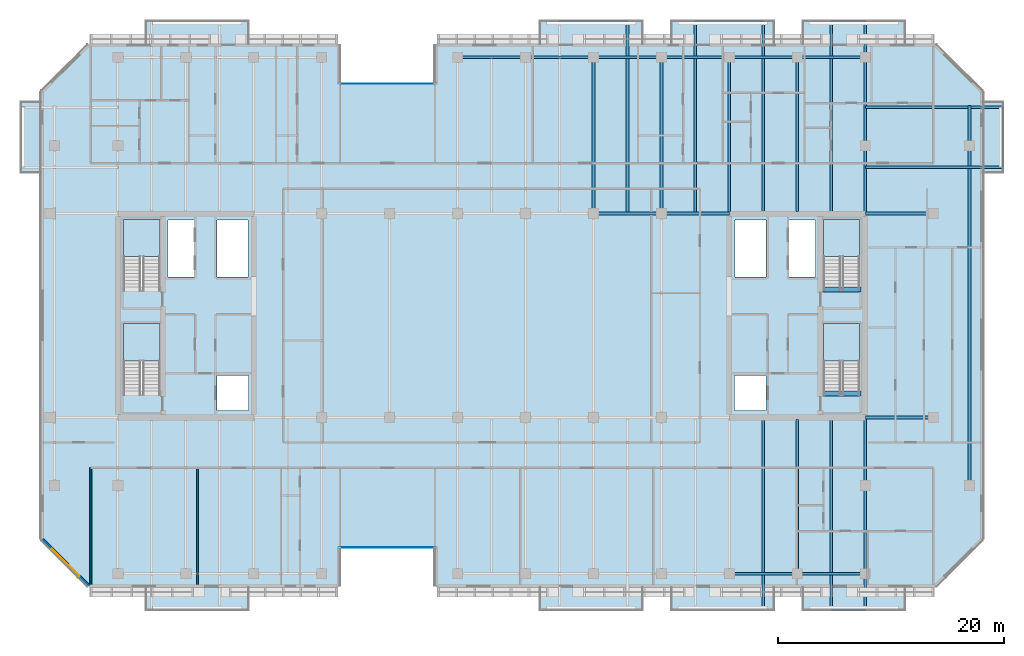
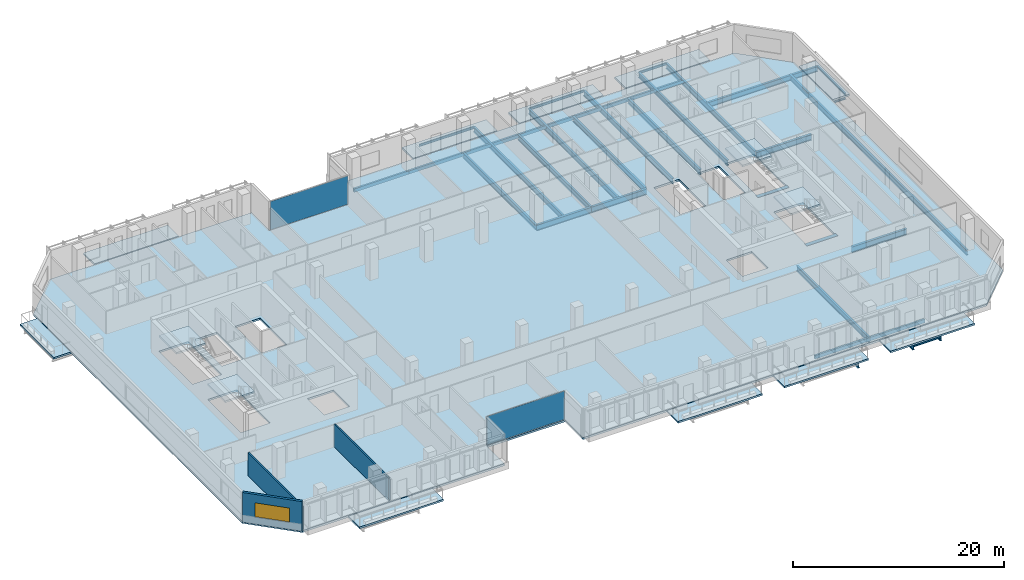
# One storey, part 9 of 22: 36 beams, 15 slabs, 3 walls, 2 plates, 1 window, 1 opening, 6 elements without a shape of their own.
"""IFC4 building model written with IfcOpenShell, lengths in metres."""

import ifcopenshell
import ifcopenshell.guid

model = None  # the IFC model being written
_history = None  # IfcOwnerHistory: only IFC2X3 demands one
_inside = {}  # id of a spatial element -> (the spatial element, [elements in it])
_under = {}  # id of a project, library or spatial element -> (it, [spatial elements below it])
_declared = {}  # id of a project -> (the project, [libraries it declares])
_typed = {}  # id of a type object -> (the type object, [elements of that type])
_made_of = {}  # id of a material, layer set ... -> (it, [elements and type objects made of it])


def new_model(schema):
    """Start an empty IFC model of exactly this schema.

    Asked for "IFC4X3", IfcOpenShell would pick the latest addendum, in which some entities
    have other attributes; the version numbers below select the first issue.
    IFC2X3 requires an IfcOwnerHistory on every rooted entity: one is made here for all.
    """
    global model, _history
    if schema == "IFC4X3":
        model = ifcopenshell.file(schema_version=(4, 3, 0, 0))
    else:
        model = ifcopenshell.file(schema=schema)
    _inside.clear()
    _under.clear()
    _declared.clear()
    _typed.clear()
    _made_of.clear()
    _history = None
    if model.schema == "IFC2X3":
        org = make("IfcOrganization", Name="unknown")
        user = make(
            "IfcPersonAndOrganization",
            ThePerson=make("IfcPerson", FamilyName="unknown"),
            TheOrganization=org,
        )
        app = make(
            "IfcApplication",
            ApplicationDeveloper=org,
            Version="unknown",
            ApplicationFullName="unknown",
            ApplicationIdentifier="unknown",
        )
        _history = make(
            "IfcOwnerHistory",
            OwningUser=user,
            OwningApplication=app,
            ChangeAction="ADDED",
            CreationDate=0,
        )
    return model


def make(cls, **values):
    """One entity of the class cls with the attributes given. An attribute that is None is left unset."""
    return model.create_entity(
        cls, **{name: value for name, value in values.items() if value is not None}
    )


def rooted(cls, **values):
    """An entity with a GlobalId (a new one), such as an element, a storey or a relation."""
    return make(cls, GlobalId=ifcopenshell.guid.new(), OwnerHistory=_history, **values)


def si_unit(unit_type, name, prefix=None):
    """IfcSIUnit, for example si_unit("LENGTHUNIT", "METRE", prefix="MILLI")."""
    return make("IfcSIUnit", UnitType=unit_type, Prefix=prefix, Name=name)


def assignment(units):
    """IfcUnitAssignment: the units of a project."""
    return None if units is None else make("IfcUnitAssignment", Units=units)


def point(xyz):
    """IfcCartesianPoint."""
    return None if xyz is None else make("IfcCartesianPoint", Coordinates=xyz)


def direction(xyz):
    """IfcDirection."""
    return None if xyz is None else make("IfcDirection", DirectionRatios=xyz)


def frame(location, z_axis=None, x_axis=None):
    """IfcAxis2Placement3D, a coordinate frame: its origin and axes. An axis left out is left unset."""
    return make(
        "IfcAxis2Placement3D",
        Location=point(location),
        Axis=direction(z_axis),
        RefDirection=direction(x_axis),
    )


def frame_2d(location, x_axis=None):
    """IfcAxis2Placement2D, a coordinate frame in the plane: its origin and x axis."""
    return make(
        "IfcAxis2Placement2D", Location=point(location), RefDirection=direction(x_axis)
    )


def origin():
    """The frame at (0, 0, 0) with its axes left unset."""
    return frame((0.0, 0.0, 0.0))


def origin_2d():
    """The frame at (0, 0) in the plane with its x axis left unset."""
    return frame_2d((0.0, 0.0))


def place(relative_to, where):
    """IfcLocalPlacement: puts the frame where relative to a parent placement (None: the world)."""
    return make(
        "IfcLocalPlacement", PlacementRelTo=relative_to, RelativePlacement=where
    )


def context(
    kind, dimensions, precision=None, world=None, true_north=None, identifier=None
):
    """IfcGeometricRepresentationContext, for example the 3D "Model" context."""
    return make(
        "IfcGeometricRepresentationContext",
        ContextIdentifier=identifier,
        ContextType=kind,
        CoordinateSpaceDimension=dimensions,
        Precision=precision,
        WorldCoordinateSystem=world,
        TrueNorth=true_north,
    )


def subcontext(parent, identifier, kind, view, scale=None):
    """IfcGeometricRepresentationSubContext, for example "Body" below "Model"."""
    return make(
        "IfcGeometricRepresentationSubContext",
        ContextIdentifier=identifier,
        ContextType=kind,
        ParentContext=parent,
        TargetScale=scale,
        TargetView=view,
    )


def project(units=None, contexts=None):
    """IfcProject with its units and contexts."""
    return rooted(
        "IfcProject",
        Name="project",
        RepresentationContexts=contexts,
        UnitsInContext=assignment(units),
    )


def spatial(cls, under=None, at=None, **own):
    """A site, building, storey or space (cls), placed at a placement, below another one or the project."""
    s = rooted(cls, ObjectPlacement=at, **own)
    if under is not None:
        _under.setdefault(under.id(), (under, []))[1].append(s)
    return s


def polyline(points):
    """IfcPolyline through the points."""
    return make("IfcPolyline", Points=[point(p) for p in points])


def profile(cls, at=None, kind="AREA", **sizes):
    """A parametric profile (cls). Its sizes go by their IFC names, for example OverallWidth=200.0."""
    return make(cls, ProfileType=kind, Position=at, **sizes)


def rectangle(**sizes):
    """IfcRectangleProfileDef."""
    return profile("IfcRectangleProfileDef", **sizes)


def hollow_rectangle(**sizes):
    """IfcRectangleHollowProfileDef."""
    return profile("IfcRectangleHollowProfileDef", **sizes)


def i_section(**sizes):
    """IfcIShapeProfileDef."""
    return profile("IfcIShapeProfileDef", **sizes)


def outline(outer, holes=None, kind="AREA"):
    """IfcArbitraryClosedProfileDef: a profile drawn as a closed curve; with holes, ...WithVoids."""
    if holes is None:
        return make("IfcArbitraryClosedProfileDef", ProfileType=kind, OuterCurve=outer)
    return make(
        "IfcArbitraryProfileDefWithVoids",
        ProfileType=kind,
        OuterCurve=outer,
        InnerCurves=holes,
    )


def extrude(swept, where, along, depth):
    """IfcExtrudedAreaSolid: the profile swept, set in the frame where, extruded along a direction by depth."""
    return make(
        "IfcExtrudedAreaSolid",
        SweptArea=swept,
        Position=where,
        ExtrudedDirection=direction(along),
        Depth=depth,
    )


def shape(context_of_items, identifier, shape_type, items):
    """IfcShapeRepresentation: the items that make up one representation, for example the "Body"."""
    return make(
        "IfcShapeRepresentation",
        ContextOfItems=context_of_items,
        RepresentationIdentifier=identifier,
        RepresentationType=shape_type,
        Items=items,
    )


def material(Name=None, Category=None):
    """IfcMaterial."""
    return make("IfcMaterial", Name=Name, Category=Category)


def layer(
    of_material, thickness, ventilated=None, Name=None, Category=None, Priority=None
):
    """IfcMaterialLayer: one layer of a wall or slab, of a material (None: an air gap)."""
    return make(
        "IfcMaterialLayer",
        Material=of_material,
        LayerThickness=thickness,
        IsVentilated=ventilated,
        Name=Name,
        Category=Category,
        Priority=Priority,
    )


def layer_set(layers, Name=None):
    """IfcMaterialLayerSet."""
    return make("IfcMaterialLayerSet", MaterialLayers=layers, LayerSetName=Name)


def material_profile(
    of_material, cross_section, Name=None, Category=None, Priority=None
):
    """IfcMaterialProfile: a cross section and its material."""
    return make(
        "IfcMaterialProfile",
        Name=Name,
        Material=of_material,
        Profile=cross_section,
        Priority=Priority,
        Category=Category,
    )


def profile_set(profiles, Name=None, composite=None):
    """IfcMaterialProfileSet."""
    return make(
        "IfcMaterialProfileSet",
        Name=Name,
        MaterialProfiles=profiles,
        CompositeProfile=composite,
    )


def made_of(thing, what):
    """Note that an element or type object is made of a material, layer set ...; save() writes the relation."""
    if what is not None:
        _made_of.setdefault(what.id(), (what, []))[1].append(thing)
    return thing


def type_object(cls, material=None, **own):
    """A type object (cls), such as IfcWallType, which elements share."""
    return made_of(rooted(cls, **own), material)


def element(
    cls,
    number,
    at=None,
    inside=None,
    cuts=None,
    type_object=None,
    material=None,
    context=None,
    identifier="Body",
    shape_type=None,
    held_by="IfcProductDefinitionShape",
    body=None,
    shapes=None,
    **own,
):
    """One element of the class cls, such as IfcWall. Its Tag is "e" and its number.

    at: its placement. inside: the storey or other place that contains it. cuts: it is an
    opening in that element (IfcRelVoidsElement). A single representation is given by context,
    identifier, shape_type and body (its items); several are given by shapes. held_by: the class
    of the entity that holds the representations. save() writes the other relations.
    """
    e = rooted(cls, Tag="e%d" % number, ObjectPlacement=at, **own)
    if body is not None:
        shapes = [shape(context, identifier, shape_type, body)]
    if shapes is not None:
        e.Representation = make(held_by, Representations=shapes)
    if inside is not None:
        _inside.setdefault(inside.id(), (inside, []))[1].append(e)
    if cuts is not None:
        rooted(
            "IfcRelVoidsElement", RelatingBuildingElement=cuts, RelatedOpeningElement=e
        )
    if type_object is not None:
        _typed.setdefault(type_object.id(), (type_object, []))[1].append(e)
    return made_of(e, material)


def fill(opening, filler):
    """IfcRelFillsElement: the door or window that sits in an opening."""
    return rooted(
        "IfcRelFillsElement",
        RelatingOpeningElement=opening,
        RelatedBuildingElement=filler,
    )


def aggregate(whole, parts):
    """IfcRelAggregates: a whole, such as a stair, and the parts it consists of."""
    return rooted("IfcRelAggregates", RelatingObject=whole, RelatedObjects=parts)


def save(model, path):
    """Write the relations noted so far, then the file.

    IfcRelAggregates (storeys below a building ...), IfcRelContainedInSpatialStructure (elements
    in a storey), IfcRelDefinesByType, IfcRelAssociatesMaterial and IfcRelDeclares: one each for
    every whole, place, type object, material and project.
    """
    for whole, parts in _under.values():
        aggregate(whole, parts)
    for where, things in _inside.values():
        rooted(
            "IfcRelContainedInSpatialStructure",
            RelatedElements=things,
            RelatingStructure=where,
        )
    for kind, things in _typed.values():
        rooted("IfcRelDefinesByType", RelatedObjects=things, RelatingType=kind)
    for what, things in _made_of.values():
        rooted("IfcRelAssociatesMaterial", RelatedObjects=things, RelatingMaterial=what)
    for by, libraries in _declared.values():
        rooted("IfcRelDeclares", RelatingContext=by, RelatedDefinitions=libraries)
    model.write(path)


model = new_model("IFC4")

# Units and contexts
model_context = context("Model", 3, precision=1e-05, world=origin(), true_north=direction((0.0, 1.0)))
body_context = subcontext(model_context, "Body", "Model", "MODEL_VIEW")
ifc_project = project(units=[si_unit("LENGTHUNIT", "METRE"), si_unit("AREAUNIT", "SQUARE_METRE"), si_unit("VOLUMEUNIT", "CUBIC_METRE"), si_unit("PLANEANGLEUNIT", "RADIAN"), si_unit("MASSUNIT", "GRAM", prefix="KILO")], contexts=[model_context])

# Site, building, storey
site_placement = place(None, origin())
site = spatial("IfcSite", under=ifc_project, at=site_placement, CompositionType="ELEMENT")
building_placement = place(site_placement, origin())
building = spatial("IfcBuilding", under=site, at=building_placement, Name="Tanjung Sevakor Pilgrim Tower", CompositionType="ELEMENT")
storey_placement = place(building_placement, frame((0.0, 0.0, 115.830078125)))
storey = spatial("IfcBuildingStorey", under=building, at=storey_placement, Name="L32", CompositionType="ELEMENT", Elevation=115.830078125)

# Beams
ifc_material_1 = material(Name="Steel S355J2", Category="steel")
ifc_material_profile_1 = material_profile(ifc_material_1, i_section(OverallWidth=0.25439453125, OverallDepth=0.6875, WebThickness=0.01318359375, FlangeThickness=0.02099609375, FilletRadius=0.01513671875, at=origin_2d()))
ifc_profile_set_1 = profile_set([ifc_material_profile_1], Name="Steel S355J2")
beam_type_1 = type_object("IfcBeamType", Name="BM-B-G2-UB_686x254x152", PredefinedType="BEAM", material=ifc_profile_set_1)
for number, where, z_axis, x_axis, name in (
    (1, (90.0, 24.60009765625, -0.56396484375), (1.0, 0.0, 0.0), (0.0, 1.0, 0.0), "L32 Primary Floor Girder MAIN Y246-09"),
    (2, (66.0, 42.60009765625, -0.56396484375), (1.0, 0.0, 0.0), (0.0, 1.0, 0.0), "L32 Primary Floor Girder MAIN Y426-07"),
    (3, (72.0, 42.60009765625, -0.56396484375), (1.0, 0.0, 0.0), (0.0, 1.0, 0.0), "L32 Primary Floor Girder MAIN Y426-08"),
    (4, (90.0, 42.60009765625, -0.56396484375), (1.0, 0.0, 0.0), (0.0, 1.0, 0.0), "L32 Primary Floor Girder MAIN Y426-09"),
):
    element("IfcBeam", number, at=place(storey_placement, frame(where, z_axis=z_axis, x_axis=x_axis)), inside=storey, type_object=beam_type_1, Name=name, PredefinedType="BEAM", context=body_context, shape_type="SweptSolid", body=[
        extrude(i_section(OverallWidth=0.25439453125, OverallDepth=0.6875, WebThickness=0.01318359375, FlangeThickness=0.02099609375, FilletRadius=0.01513671875, at=origin_2d()), origin(), (0.0, 0.0, 1.0), 6.0),
    ])
ifc_material_2 = material(Name="Steel S355J2", Category="steel")
ifc_material_profile_2 = material_profile(ifc_material_2, i_section(OverallWidth=0.230224609375, OverallDepth=0.6171875, WebThickness=0.01318359375, FlangeThickness=0.022216796875, FilletRadius=0.0126953125, at=origin_2d()))
ifc_profile_set_2 = profile_set([ifc_material_profile_2], Name="Steel S355J2")
beam_type_2 = type_object("IfcBeamType", Name="BM-B-G3-UB_610x229x140", PredefinedType="BEAM", material=ifc_profile_set_2)
for number, where, z_axis, x_axis, name in (
    (5, (66.0, 42.60009765625, -0.528564453125), (0.0, 1.0, 0.0), (-1.0, 0.0, 0.0), "L32 MAIN Girder 023"),
    (6, (72.0, 42.60009765625, -0.528564453125), (0.0, 1.0, 0.0), (-1.0, 0.0, 0.0), "L32 MAIN Girder 026"),
):
    element("IfcBeam", number, at=place(storey_placement, frame(where, z_axis=z_axis, x_axis=x_axis)), inside=storey, type_object=beam_type_2, Name=name, PredefinedType="BEAM", context=body_context, shape_type="SweptSolid", body=[
        extrude(i_section(OverallWidth=0.230224609375, OverallDepth=0.6171875, WebThickness=0.01318359375, FlangeThickness=0.022216796875, FilletRadius=0.0126953125, at=origin_2d()), origin(), (0.0, 0.0, 1.0), 13.7998046875),
    ])
for number, where, z_axis, x_axis, name in (
    (7, (78.0, 42.727294921875, -0.528564453125), (0.0, 1.0, 0.0), (-1.0, 0.0, 0.0), "L32 MAIN Girder 028"),
    (8, (84.0, 10.800048828125, -0.528564453125), (0.0, 1.0, 0.0), (-1.0, 0.0, 0.0), "L32 MAIN Girder 029"),
    (9, (84.0, 42.727294921875, -0.528564453125), (0.0, 1.0, 0.0), (-1.0, 0.0, 0.0), "L32 MAIN Girder 030"),
):
    element("IfcBeam", number, at=place(storey_placement, frame(where, z_axis=z_axis, x_axis=x_axis)), inside=storey, type_object=beam_type_2, Name=name, PredefinedType="BEAM", context=body_context, shape_type="SweptSolid", body=[
        extrude(i_section(OverallWidth=0.230224609375, OverallDepth=0.6171875, WebThickness=0.01318359375, FlangeThickness=0.022216796875, FilletRadius=0.0126953125, at=origin_2d()), origin(), (0.0, 0.0, 1.0), 13.672607421875),
    ])
beam_1_placement = place(storey_placement, frame((90.0, 24.47265625, -0.528564453125), z_axis=(0.0, -1.0, 0.0), x_axis=(1.0, 0.0, 0.0)))
element("IfcBeam", 10, at=beam_1_placement, inside=storey, type_object=beam_type_2, Name="L32 Balcony Cantilever Beam MAIN-S4-2", PredefinedType="BEAM", context=body_context, shape_type="SweptSolid", body=[
    extrude(i_section(OverallWidth=0.230224609375, OverallDepth=0.6171875, WebThickness=0.01318359375, FlangeThickness=0.022216796875, FilletRadius=0.0126953125, at=origin_2d()), origin(), (0.0, 0.0, 1.0), 16.8525390625),
])
beam_2_placement = place(storey_placement, frame((90.0, 42.727294921875, -0.528564453125), z_axis=(0.0, 1.0, 0.0), x_axis=(-1.0, 0.0, 0.0)))
element("IfcBeam", 11, at=beam_2_placement, inside=storey, type_object=beam_type_2, Name="L32 Balcony Cantilever Beam MAIN-N4-2", PredefinedType="BEAM", context=body_context, shape_type="SweptSolid", body=[
    extrude(i_section(OverallWidth=0.230224609375, OverallDepth=0.6171875, WebThickness=0.01318359375, FlangeThickness=0.022216796875, FilletRadius=0.0126953125, at=origin_2d()), origin(), (0.0, 0.0, 1.0), 16.852783203125),
])
ifc_material_3 = material(Name="Steel S355J2", Category="steel")
ifc_material_profile_3 = material_profile(ifc_material_3, i_section(OverallWidth=0.22900390625, OverallDepth=0.6123046875, WebThickness=0.011962890625, FlangeThickness=0.01953125, FilletRadius=0.0126953125, at=origin_2d()))
ifc_profile_set_3 = profile_set([ifc_material_profile_3], Name="Steel S355J2")
beam_type_3 = type_object("IfcBeamType", Name="BM-B-G4-UB_610x229x125", PredefinedType="BEAM", material=ifc_profile_set_3)
beam_3_placement = place(storey_placement, frame((99.199951171875, 18.60009765625, -0.526123046875), z_axis=(0.0, 1.0, 0.0), x_axis=(-1.0, 0.0, 0.0)))
element("IfcBeam", 12, at=beam_3_placement, inside=storey, type_object=beam_type_3, Name="L32 Short-End Edge Girder E", PredefinedType="BEAM", context=body_context, shape_type="SweptSolid", body=[
    extrude(i_section(OverallWidth=0.22900390625, OverallDepth=0.6123046875, WebThickness=0.011962890625, FlangeThickness=0.01953125, FilletRadius=0.0126953125, at=origin_2d()), origin(), (0.0, 0.0, 1.0), 30.0),
])
beam_4_placement = place(storey_placement, frame((99.199951171875, 48.60009765625, -0.526123046875), z_axis=(0.0, 1.0, 0.0), x_axis=(-1.0, 0.0, 0.0)))
element("IfcBeam", 13, at=beam_4_placement, inside=storey, type_object=beam_type_3, Name="L32 Short-End Edge Extension N-E", PredefinedType="BEAM", context=body_context, shape_type="SweptSolid", body=[
    extrude(i_section(OverallWidth=0.22900390625, OverallDepth=0.6123046875, WebThickness=0.011962890625, FlangeThickness=0.01953125, FilletRadius=0.0126953125, at=origin_2d()), origin(), (0.0, 0.0, 1.0), 3.5498046875),
])
for number, where, z_axis, x_axis, name in (
    (14, (90.0, 46.699951171875, -0.526123046875), (1.0, 0.0, 0.0), (0.0, 1.0, 0.0), "L32 Balcony Overhanging Beam MAIN-E1-1"),
    (15, (90.0, 52.0, -0.526123046875), (1.0, 0.0, 0.0), (0.0, 1.0, 0.0), "L32 Balcony Overhanging Beam MAIN-E1-2"),
):
    element("IfcBeam", number, at=place(storey_placement, frame(where, z_axis=z_axis, x_axis=x_axis)), inside=storey, type_object=beam_type_3, Name=name, PredefinedType="BEAM", context=body_context, shape_type="SweptSolid", body=[
        extrude(i_section(OverallWidth=0.22900390625, OverallDepth=0.6123046875, WebThickness=0.011962890625, FlangeThickness=0.01953125, FilletRadius=0.0126953125, at=origin_2d()), origin(), (0.0, 0.0, 1.0), 12.1298828125),
    ])
for number, where, z_axis, x_axis, name in (
    (16, (69.0, 42.727294921875, -0.526123046875), (0.0, 1.0, 0.0), (-1.0, 0.0, 0.0), "L32 Balcony Cantilever Beam MAIN-N2-2"),
    (17, (75.0, 42.727294921875, -0.526123046875), (0.0, 1.0, 0.0), (-1.0, 0.0, 0.0), "L32 Balcony Cantilever Beam MAIN-N3-1"),
):
    element("IfcBeam", number, at=place(storey_placement, frame(where, z_axis=z_axis, x_axis=x_axis)), inside=storey, type_object=beam_type_3, Name=name, PredefinedType="BEAM", context=body_context, shape_type="SweptSolid", body=[
        extrude(i_section(OverallWidth=0.22900390625, OverallDepth=0.6123046875, WebThickness=0.011962890625, FlangeThickness=0.01953125, FilletRadius=0.0126953125, at=origin_2d()), origin(), (0.0, 0.0, 1.0), 16.852783203125),
    ])
beam_5_placement = place(storey_placement, frame((81.0, 24.47265625, -0.526123046875), z_axis=(0.0, -1.0, 0.0), x_axis=(1.0, 0.0, 0.0)))
element("IfcBeam", 18, at=beam_5_placement, inside=storey, type_object=beam_type_3, Name="L32 Balcony Cantilever Beam MAIN-S3-2", PredefinedType="BEAM", context=body_context, shape_type="SweptSolid", body=[
    extrude(i_section(OverallWidth=0.22900390625, OverallDepth=0.6123046875, WebThickness=0.011962890625, FlangeThickness=0.01953125, FilletRadius=0.0126953125, at=origin_2d()), origin(), (0.0, 0.0, 1.0), 16.8525390625),
])
beam_6_placement = place(storey_placement, frame((81.0, 42.727294921875, -0.526123046875), z_axis=(0.0, 1.0, 0.0), x_axis=(-1.0, 0.0, 0.0)))
element("IfcBeam", 19, at=beam_6_placement, inside=storey, type_object=beam_type_3, Name="L32 Balcony Cantilever Beam MAIN-N3-2", PredefinedType="BEAM", context=body_context, shape_type="SweptSolid", body=[
    extrude(i_section(OverallWidth=0.22900390625, OverallDepth=0.6123046875, WebThickness=0.011962890625, FlangeThickness=0.01953125, FilletRadius=0.0126953125, at=origin_2d()), origin(), (0.0, 0.0, 1.0), 16.852783203125),
])
beam_7_placement = place(storey_placement, frame((87.0, 24.47265625, -0.526123046875), z_axis=(0.0, -1.0, 0.0), x_axis=(1.0, 0.0, 0.0)))
element("IfcBeam", 20, at=beam_7_placement, inside=storey, type_object=beam_type_3, Name="L32 Balcony Cantilever Beam MAIN-S4-1", PredefinedType="BEAM", context=body_context, shape_type="SweptSolid", body=[
    extrude(i_section(OverallWidth=0.22900390625, OverallDepth=0.6123046875, WebThickness=0.011962890625, FlangeThickness=0.01953125, FilletRadius=0.0126953125, at=origin_2d()), origin(), (0.0, 0.0, 1.0), 16.8525390625),
])
beam_8_placement = place(storey_placement, frame((87.0, 42.727294921875, -0.526123046875), z_axis=(0.0, 1.0, 0.0), x_axis=(-1.0, 0.0, 0.0)))
element("IfcBeam", 21, at=beam_8_placement, inside=storey, type_object=beam_type_3, Name="L32 Balcony Cantilever Beam MAIN-N4-1", PredefinedType="BEAM", context=body_context, shape_type="SweptSolid", body=[
    extrude(i_section(OverallWidth=0.22900390625, OverallDepth=0.6123046875, WebThickness=0.011962890625, FlangeThickness=0.01953125, FilletRadius=0.0126953125, at=origin_2d()), origin(), (0.0, 0.0, 1.0), 16.852783203125),
])
ifc_material_4 = material(Name="Steel S355J2", Category="steel")
ifc_material_profile_4 = material_profile(ifc_material_4, i_section(OverallWidth=0.146484375, OverallDepth=0.256103515625, WebThickness=0.00634765625, FlangeThickness=0.010986328125, FilletRadius=0.007568359375, at=origin_2d()))
ifc_profile_set_4 = profile_set([ifc_material_profile_4], Name="Steel S355J2")
beam_type_4 = type_object("IfcBeamType", Name="BM-B-J6-UB_254x146x37", PredefinedType="JOIST", material=ifc_profile_set_4)
for number, where, z_axis, x_axis, name in (
    (22, (63.0, 59.580078125, -0.328125), (1.0, 0.0, 0.0), (0.0, 1.0, 0.0), "L32 Balcony Rim Tie MAIN-N2"),
    (23, (75.0, 59.580078125, -0.328125), (1.0, 0.0, 0.0), (0.0, 1.0, 0.0), "L32 Balcony Rim Tie MAIN-N3"),
):
    element("IfcBeam", number, at=place(storey_placement, frame(where, z_axis=z_axis, x_axis=x_axis)), inside=storey, type_object=beam_type_4, Name=name, PredefinedType="JOIST", context=body_context, shape_type="SweptSolid", body=[
        extrude(i_section(OverallWidth=0.146484375, OverallDepth=0.256103515625, WebThickness=0.00634765625, FlangeThickness=0.010986328125, FilletRadius=0.007568359375, at=origin_2d()), origin(), (0.0, 0.0, 1.0), 6.0),
    ])
for number, where, z_axis, x_axis, name in (
    (24, (87.0, 7.6201171875, -0.328125), (1.0, 0.0, 0.0), (0.0, 1.0, 0.0), "L32 Balcony Rim Tie MAIN-S4"),
    (25, (87.0, 59.580078125, -0.328125), (1.0, 0.0, 0.0), (0.0, 1.0, 0.0), "L32 Balcony Rim Tie MAIN-N4"),
):
    element("IfcBeam", number, at=place(storey_placement, frame(where, z_axis=z_axis, x_axis=x_axis)), inside=storey, type_object=beam_type_4, Name=name, PredefinedType="JOIST", context=body_context, shape_type="SweptSolid", body=[
        extrude(i_section(OverallWidth=0.146484375, OverallDepth=0.256103515625, WebThickness=0.00634765625, FlangeThickness=0.010986328125, FilletRadius=0.007568359375, at=origin_2d()), origin(), (0.0, 0.0, 1.0), 3.0),
    ])
beam_9_placement = place(storey_placement, frame((102.1298828125, 46.699951171875, -0.328125), z_axis=(0.0, 1.0, 0.0), x_axis=(-1.0, 0.0, 0.0)))
element("IfcBeam", 26, at=beam_9_placement, inside=storey, type_object=beam_type_4, Name="L32 Balcony Rim Tie MAIN-E1", PredefinedType="JOIST", context=body_context, shape_type="SweptSolid", body=[
    extrude(i_section(OverallWidth=0.146484375, OverallDepth=0.256103515625, WebThickness=0.00634765625, FlangeThickness=0.010986328125, FilletRadius=0.007568359375, at=origin_2d()), origin(), (0.0, 0.0, 1.0), 5.300048828125),
])
ifc_material_5 = material(Name="Concrete C60/75", Category="concrete")
ifc_material_profile_5 = material_profile(ifc_material_5, rectangle(XDim=0.449951171875, YDim=0.699951171875, at=origin_2d()))
ifc_profile_set_5 = profile_set([ifc_material_profile_5], Name="Concrete C60/75")
beam_type_5 = type_object("IfcBeamType", Name="BM-B-LN3-RC-BM_450x700", PredefinedType="LINTEL", material=ifc_profile_set_5)
for number, where, z_axis, x_axis, name in (
    (27, (86.199951171875, 26.699951171875, -0.35009765625), (1.0, 0.0, 0.0), (0.0, 1.0, 0.0), "L32 TS-E1 Stair Threshold Beam"),
    (28, (86.199951171875, 35.89990234375, -0.35009765625), (1.0, 0.0, 0.0), (0.0, 1.0, 0.0), "L32 TS-E2 Stair Threshold Beam"),
):
    element("IfcBeam", number, at=place(storey_placement, frame(where, z_axis=z_axis, x_axis=x_axis)), inside=storey, type_object=beam_type_5, Name=name, PredefinedType="LINTEL", context=body_context, shape_type="SweptSolid", body=[
        extrude(rectangle(XDim=0.449951171875, YDim=0.699951171875, at=origin_2d()), origin(), (0.0, 0.0, 1.0), 3.400146484375),
    ])
ifc_material_6 = material(Name="Steel S355J2", Category="steel")
ifc_material_profile_6 = material_profile(ifc_material_6, hollow_rectangle(XDim=0.199951171875, YDim=0.39990234375, WallThickness=0.01611328125, at=origin_2d()))
ifc_profile_set_6 = profile_set([ifc_material_profile_6], Name="Steel S355J2")
beam_type_6 = type_object("IfcBeamType", Name="BM-B-SP2-RHS_400x200x16", PredefinedType="SPANDREL", material=ifc_profile_set_6)
for number, where, z_axis, x_axis, name in (
    (29, (54.0, 56.39990234375, -0.420166015625), (1.0, 0.0, 0.0), (0.0, 1.0, 0.0), "L32 Spandrel MAIN N-08"),
    (30, (60.0, 56.39990234375, -0.420166015625), (1.0, 0.0, 0.0), (0.0, 1.0, 0.0), "L32 Spandrel MAIN N-10"),
    (31, (66.0, 56.39990234375, -0.420166015625), (1.0, 0.0, 0.0), (0.0, 1.0, 0.0), "L32 Spandrel MAIN N-12"),
    (32, (72.0, 56.39990234375, -0.420166015625), (1.0, 0.0, 0.0), (0.0, 1.0, 0.0), "L32 Spandrel MAIN N-14"),
    (33, (78.0, 10.800048828125, -0.420166015625), (1.0, 0.0, 0.0), (0.0, 1.0, 0.0), "L32 Spandrel MAIN S-15"),
    (34, (78.0, 56.39990234375, -0.420166015625), (1.0, 0.0, 0.0), (0.0, 1.0, 0.0), "L32 Spandrel MAIN N-16"),
    (35, (84.0, 10.800048828125, -0.420166015625), (1.0, 0.0, 0.0), (0.0, 1.0, 0.0), "L32 Spandrel MAIN S-17"),
    (36, (84.0, 56.39990234375, -0.420166015625), (1.0, 0.0, 0.0), (0.0, 1.0, 0.0), "L32 Spandrel MAIN N-18"),
):
    element("IfcBeam", number, at=place(storey_placement, frame(where, z_axis=z_axis, x_axis=x_axis)), inside=storey, type_object=beam_type_6, Name=name, PredefinedType="SPANDREL", context=body_context, shape_type="SweptSolid", body=[
        extrude(hollow_rectangle(XDim=0.199951171875, YDim=0.39990234375, WallThickness=0.01611328125, at=origin_2d()), origin(), (0.0, 0.0, 1.0), 6.0),
    ])

# Slabs
ifc_material_7 = material(Name="Concrete C40/50", Category="concrete")
ifc_layer_1 = layer(ifc_material_7, 0.199951171875)
ifc_layer_set_1 = layer_set([ifc_layer_1], Name="SL-BAL-200")
slab_type_1 = type_object("IfcSlabType", Name="SL-BAL-200", PredefinedType="FLOOR", material=ifc_layer_set_1)
slab_1_placement = place(storey_placement, frame((0.0, 0.0, -0.2001953125)))
element("IfcSlab", 37, at=slab_1_placement, inside=storey, type_object=slab_type_1, Name="L32 Planted Loggia Balcony MAIN-S1", PredefinedType="FLOOR", context=body_context, shape_type="SweptSolid", body=[
    extrude(outline(polyline([(26.39990234375, 7.5), (35.60009765625, 7.5), (35.60009765625, 9.60009765625), (26.39990234375, 9.60009765625), (26.39990234375, 7.5)])), origin(), (0.0, 0.0, 1.0), 0.2001953125),
])
slab_2_placement = place(storey_placement, frame((0.0, 0.0, -0.2001953125)))
element("IfcSlab", 38, at=slab_2_placement, inside=storey, type_object=slab_type_1, Name="L32 Planted Loggia Balcony MAIN-N1", PredefinedType="FLOOR", context=body_context, shape_type="SweptSolid", body=[
    extrude(outline(polyline([(26.39990234375, 57.60009765625), (35.60009765625, 57.60009765625), (35.60009765625, 59.699951171875), (26.39990234375, 59.699951171875), (26.39990234375, 57.60009765625)])), origin(), (0.0, 0.0, 1.0), 0.2001953125),
])
slab_3_placement = place(storey_placement, frame((0.0, 0.0, -0.2001953125)))
element("IfcSlab", 39, at=slab_3_placement, inside=storey, type_object=slab_type_1, Name="L32 Planted Loggia Balcony MAIN-S2", PredefinedType="FLOOR", context=body_context, shape_type="SweptSolid", body=[
    extrude(outline(polyline([(61.199951171875, 7.5), (70.39990234375, 7.5), (70.39990234375, 9.60009765625), (61.199951171875, 9.60009765625), (61.199951171875, 7.5)])), origin(), (0.0, 0.0, 1.0), 0.2001953125),
])
slab_4_placement = place(storey_placement, frame((0.0, 0.0, -0.2001953125)))
element("IfcSlab", 40, at=slab_4_placement, inside=storey, type_object=slab_type_1, Name="L32 Planted Loggia Balcony MAIN-N2", PredefinedType="FLOOR", context=body_context, shape_type="SweptSolid", body=[
    extrude(outline(polyline([(61.199951171875, 57.60009765625), (70.39990234375, 57.60009765625), (70.39990234375, 59.699951171875), (61.199951171875, 59.699951171875), (61.199951171875, 57.60009765625)])), origin(), (0.0, 0.0, 1.0), 0.2001953125),
])
slab_5_placement = place(storey_placement, frame((0.0, 0.0, -0.2001953125)))
element("IfcSlab", 41, at=slab_5_placement, inside=storey, type_object=slab_type_1, Name="L32 Planted Loggia Balcony MAIN-S3", PredefinedType="FLOOR", context=body_context, shape_type="SweptSolid", body=[
    extrude(outline(polyline([(72.800048828125, 7.5), (82.0, 7.5), (82.0, 9.60009765625), (72.800048828125, 9.60009765625), (72.800048828125, 7.5)])), origin(), (0.0, 0.0, 1.0), 0.2001953125),
])
slab_6_placement = place(storey_placement, frame((0.0, 0.0, -0.2001953125)))
element("IfcSlab", 42, at=slab_6_placement, inside=storey, type_object=slab_type_1, Name="L32 Planted Loggia Balcony MAIN-N3", PredefinedType="FLOOR", context=body_context, shape_type="SweptSolid", body=[
    extrude(outline(polyline([(72.800048828125, 57.60009765625), (82.0, 57.60009765625), (82.0, 59.699951171875), (72.800048828125, 59.699951171875), (72.800048828125, 57.60009765625)])), origin(), (0.0, 0.0, 1.0), 0.2001953125),
])
slab_7_placement = place(storey_placement, frame((0.0, 0.0, -0.2001953125)))
element("IfcSlab", 43, at=slab_7_placement, inside=storey, type_object=slab_type_1, Name="L32 Planted Loggia Balcony MAIN-S4", PredefinedType="FLOOR", context=body_context, shape_type="SweptSolid", body=[
    extrude(outline(polyline([(84.39990234375, 7.5), (93.60009765625, 7.5), (93.60009765625, 9.60009765625), (84.39990234375, 9.60009765625), (84.39990234375, 7.5)])), origin(), (0.0, 0.0, 1.0), 0.2001953125),
])
slab_8_placement = place(storey_placement, frame((0.0, 0.0, -0.2001953125)))
element("IfcSlab", 44, at=slab_8_placement, inside=storey, type_object=slab_type_1, Name="L32 Planted Loggia Balcony MAIN-N4", PredefinedType="FLOOR", context=body_context, shape_type="SweptSolid", body=[
    extrude(outline(polyline([(84.39990234375, 57.60009765625), (93.60009765625, 57.60009765625), (93.60009765625, 59.699951171875), (84.39990234375, 59.699951171875), (84.39990234375, 57.60009765625)])), origin(), (0.0, 0.0, 1.0), 0.2001953125),
])
slab_9_placement = place(storey_placement, frame((0.0, 0.0, -0.2001953125)))
element("IfcSlab", 45, at=slab_9_placement, inside=storey, type_object=slab_type_1, Name="L32 Planted Loggia Balcony MAIN-W1", PredefinedType="FLOOR", context=body_context, shape_type="SweptSolid", body=[
    extrude(outline(polyline([(15.35009765625, 46.14990234375), (17.199951171875, 46.14990234375), (17.199951171875, 52.550048828125), (15.35009765625, 52.550048828125), (15.35009765625, 46.14990234375)])), origin(), (0.0, 0.0, 1.0), 0.2001953125),
])
slab_10_placement = place(storey_placement, frame((0.0, 0.0, -0.2001953125)))
element("IfcSlab", 46, at=slab_10_placement, inside=storey, type_object=slab_type_1, Name="L32 Planted Loggia Balcony MAIN-E1", PredefinedType="FLOOR", context=body_context, shape_type="SweptSolid", body=[
    extrude(outline(polyline([(100.39990234375, 46.14990234375), (102.25, 46.14990234375), (102.25, 52.550048828125), (100.39990234375, 52.550048828125), (100.39990234375, 46.14990234375)])), origin(), (0.0, 0.0, 1.0), 0.2001953125),
])

# Stair, slab
ifc_material_8 = material(Name="Concrete C40/50", Category="concrete")
stair_type = type_object("IfcStairType", Name="STAIR-ST-CR150", PredefinedType="HALF_TURN_STAIR", material=ifc_material_8)
stair_1_placement = place(storey_placement, origin())
stair_1 = element("IfcStair", 47, at=stair_1_placement, inside=storey, type_object=stair_type, Name="L32 West Core Exit Stair 1", PredefinedType="HALF_TURN_STAIR")
ifc_material_9 = material(Name="Concrete C40/50", Category="concrete")
ifc_layer_2 = layer(ifc_material_9, 0.199951171875)
ifc_layer_set_2 = layer_set([ifc_layer_2], Name="SL-LAND-200")
slab_type_2 = type_object("IfcSlabType", Name="SL-LAND-200", PredefinedType="LANDING", material=ifc_layer_set_2)
slab_11_placement = place(storey_placement, frame((0.0, 0.0, 1.614990234375)))
slab_11 = element("IfcSlab", 48, at=slab_11_placement, type_object=slab_type_2, Name="TS-W1 landing 1", PredefinedType="LANDING", context=body_context, shape_type="SweptSolid", body=[
    extrude(outline(polyline([(27.699951171875, 29.60009765625), (27.699951171875, 32.89990234375), (24.5, 32.89990234375), (24.5, 29.60009765625), (27.699951171875, 29.60009765625)])), origin(), (0.0, 0.0, 1.0), 0.199951171875),
])
aggregate(stair_1, [slab_11])

stair_2_placement = place(storey_placement, origin())
stair_2 = element("IfcStair", 49, at=stair_2_placement, inside=storey, type_object=stair_type, Name="L32 West Core Exit Stair 2", PredefinedType="HALF_TURN_STAIR")
slab_12_placement = place(storey_placement, frame((0.0, 0.0, 1.614990234375)))
slab_12 = element("IfcSlab", 50, at=slab_12_placement, type_object=slab_type_2, Name="TS-W2 landing 1", PredefinedType="LANDING", context=body_context, shape_type="SweptSolid", body=[
    extrude(outline(polyline([(27.699951171875, 38.800048828125), (27.699951171875, 42.10009765625), (24.5, 42.10009765625), (24.5, 38.800048828125), (27.699951171875, 38.800048828125)])), origin(), (0.0, 0.0, 1.0), 0.199951171875),
])
aggregate(stair_2, [slab_12])

stair_3_placement = place(storey_placement, origin())
stair_3 = element("IfcStair", 51, at=stair_3_placement, inside=storey, type_object=stair_type, Name="L32 East Core Exit Stair 1", PredefinedType="HALF_TURN_STAIR")
slab_13_placement = place(storey_placement, frame((0.0, 0.0, 1.614990234375)))
slab_13 = element("IfcSlab", 52, at=slab_13_placement, type_object=slab_type_2, Name="TS-E1 landing 1", PredefinedType="LANDING", context=body_context, shape_type="SweptSolid", body=[
    extrude(outline(polyline([(89.5, 29.60009765625), (89.5, 32.89990234375), (86.300048828125, 32.89990234375), (86.300048828125, 29.60009765625), (89.5, 29.60009765625)])), origin(), (0.0, 0.0, 1.0), 0.199951171875),
])
aggregate(stair_3, [slab_13])

stair_4_placement = place(storey_placement, origin())
stair_4 = element("IfcStair", 53, at=stair_4_placement, inside=storey, type_object=stair_type, Name="L32 East Core Exit Stair 2", PredefinedType="HALF_TURN_STAIR")
slab_14_placement = place(storey_placement, frame((0.0, 0.0, 1.614990234375)))
slab_14 = element("IfcSlab", 54, at=slab_14_placement, type_object=slab_type_2, Name="TS-E2 landing 1", PredefinedType="LANDING", context=body_context, shape_type="SweptSolid", body=[
    extrude(outline(polyline([(89.5, 38.800048828125), (89.5, 42.10009765625), (86.300048828125, 42.10009765625), (86.300048828125, 38.800048828125), (89.5, 38.800048828125)])), origin(), (0.0, 0.0, 1.0), 0.199951171875),
])
aggregate(stair_4, [slab_14])

# Slab
ifc_material_10 = material(Name="Concrete C40/50", Category="concrete")
ifc_layer_3 = layer(ifc_material_10, 0.219970703125)
ifc_layer_set_3 = layer_set([ifc_layer_3], Name="SL-TWR-220")
slab_type_3 = type_object("IfcSlabType", Name="SL-TWR-220", PredefinedType="FLOOR", material=ifc_layer_set_3)
slab_15_placement = place(storey_placement, frame((0.0, 0.0, -0.219970703125)))
element("IfcSlab", 55, at=slab_15_placement, inside=storey, type_object=slab_type_3, Name="L32 Floor Slab MAIN", PredefinedType="FLOOR", context=body_context, shape_type="SweptSolid", body=[
    extrude(outline(polyline([(21.447021484375, 9.679931640625), (43.52001953125, 9.679931640625), (43.52001953125, 13.080078125), (52.080078125, 13.080078125), (52.080078125, 9.679931640625), (96.153076171875, 9.679931640625), (100.320068359375, 13.846923828125), (100.320068359375, 53.35302734375), (96.153076171875, 57.52001953125), (52.080078125, 57.52001953125), (52.080078125, 54.1201171875), (43.52001953125, 54.1201171875), (43.52001953125, 57.52001953125), (21.447021484375, 57.52001953125), (17.280029296875, 53.35302734375), (17.280029296875, 13.846923828125), (21.447021484375, 9.679931640625)]), holes=[polyline([(27.699951171875, 26.60009765625), (27.699951171875, 32.89990234375), (24.5, 32.89990234375), (24.5, 26.60009765625), (27.699951171875, 26.60009765625)]), polyline([(27.699951171875, 35.800048828125), (27.699951171875, 42.10009765625), (24.5, 42.10009765625), (24.5, 35.800048828125), (27.699951171875, 35.800048828125)]), polyline([(89.5, 26.60009765625), (89.5, 32.89990234375), (86.300048828125, 32.89990234375), (86.300048828125, 26.60009765625), (89.5, 26.60009765625)]), polyline([(89.5, 35.800048828125), (89.5, 42.10009765625), (86.300048828125, 42.10009765625), (86.300048828125, 35.800048828125), (89.5, 35.800048828125)]), polyline([(32.75, 25.199951171875), (35.550048828125, 25.199951171875), (35.550048828125, 28.300048828125), (32.75, 28.300048828125), (32.75, 25.199951171875)]), polyline([(28.39990234375, 37.0), (30.75, 37.0), (30.75, 42.050048828125), (28.39990234375, 42.050048828125), (28.39990234375, 37.0)]), polyline([(32.75, 37.0), (35.5, 37.0), (35.5, 42.050048828125), (32.75, 42.050048828125), (32.75, 37.0)]), polyline([(78.449951171875, 25.199951171875), (81.25, 25.199951171875), (81.25, 28.300048828125), (78.449951171875, 28.300048828125), (78.449951171875, 25.199951171875)]), polyline([(83.25, 37.0), (85.60009765625, 37.0), (85.60009765625, 42.050048828125), (83.25, 42.050048828125), (83.25, 37.0)]), polyline([(78.5, 37.0), (81.25, 37.0), (81.25, 42.050048828125), (78.5, 42.050048828125), (78.5, 37.0)])]), origin(), (0.0, 0.0, 1.0), 0.219970703125),
])

# Curtain wall, plate
ifc_material_11 = material(Name="Aluminium 6063-T6 and Low-E Glass", Category="aluminium")
ifc_layer_4 = layer(ifc_material_11, 0.179931640625)
ifc_layer_set_4 = layer_set([ifc_layer_4], Name="CW-SYS-CLEFT")
curtain_wall_type = type_object("IfcCurtainWallType", Name="CW-SYS-CLEFT", PredefinedType="NOTDEFINED", material=ifc_layer_set_4)
curtain_wall_1_placement = place(storey_placement, origin())
curtain_wall_1 = element("IfcCurtainWall", 56, at=curtain_wall_1_placement, inside=storey, type_object=curtain_wall_type, Name="L32 Curtain Wall CW-CLF-L32-2", PredefinedType="NOTDEFINED")
ifc_material_12 = material(Name="Laminated Low-E Double Glazing", Category="glass")
ifc_layer_5 = layer(ifc_material_12, 0.028076171875)
ifc_layer_set_5 = layer_set([ifc_layer_5], Name="TYPE-CWP-GLZ1")
plate_type = type_object("IfcPlateType", Name="TYPE-CWP-GLZ1", PredefinedType="CURTAIN_PANEL", material=ifc_layer_set_5)
plate_1_placement = place(storey_placement, frame((47.800048828125, 13.125, 0.06494140625), z_axis=(0.0, 0.0, 1.0), x_axis=(1.0, 0.0, 0.0)))
plate_1 = element("IfcPlate", 57, at=plate_1_placement, type_object=plate_type, Name="CW-CLF panel 1.1", PredefinedType="CURTAIN_PANEL", context=body_context, shape_type="SweptSolid", body=[
    extrude(rectangle(XDim=8.5, YDim=0.028076171875, at=origin_2d()), origin(), (0.0, 0.0, 1.0), 3.280029296875),
])
aggregate(curtain_wall_1, [plate_1])

curtain_wall_2_placement = place(storey_placement, origin())
curtain_wall_2 = element("IfcCurtainWall", 58, at=curtain_wall_2_placement, inside=storey, type_object=curtain_wall_type, Name="L32 Curtain Wall CW-CLF-L32-10", PredefinedType="NOTDEFINED")
plate_2_placement = place(storey_placement, frame((47.800048828125, 54.074951171875, 0.06494140625), z_axis=(0.0, 0.0, 1.0), x_axis=(-1.0, 0.0, 0.0)))
plate_2 = element("IfcPlate", 59, at=plate_2_placement, type_object=plate_type, Name="CW-CLF panel 1.1", PredefinedType="CURTAIN_PANEL", context=body_context, shape_type="SweptSolid", body=[
    extrude(rectangle(XDim=8.5, YDim=0.028076171875, at=origin_2d()), origin(), (0.0, 0.0, 1.0), 3.280029296875),
])
aggregate(curtain_wall_2, [plate_2])

# Walls
ifc_material_13 = material(Name="Concrete C40/50", Category="concrete")
ifc_layer_6 = layer(ifc_material_13, 0.14990234375)
ifc_layer_set_6 = layer_set([ifc_layer_6], Name="WT-COMP-150")
wall_type_1 = type_object("IfcWallType", Name="WT-COMP-150", PredefinedType="SOLIDWALL", material=ifc_layer_set_6)
for number, where, z_axis, x_axis, name in (
    (60, (21.60009765625, 9.85009765625, 0.0), (0.0, 0.0, 1.0), (0.0, 1.0, 0.0), "L32 Partition IW-L32-049"),
    (61, (31.031005859375, 9.85009765625, 0.0), (0.0, 0.0, 1.0), (0.0, 1.0, 0.0), "L32 Partition IW-L32-050"),
):
    element("IfcWall", number, at=place(storey_placement, frame(where, z_axis=z_axis, x_axis=x_axis)), inside=storey, type_object=wall_type_1, Name=name, PredefinedType="SOLIDWALL", context=body_context, shape_type="SweptSolid", body=[
        extrude(rectangle(XDim=10.2998046875, YDim=0.14990234375, at=frame_2d((5.14990234375, 0.0))), origin(), (0.0, 0.0, 1.0), 2.6298828125),
    ])

# Wall, opening, window
ifc_material_14 = material(Name="Precast concrete C45/55", Category="concrete")
ifc_layer_7 = layer(ifc_material_14, 0.25)
ifc_layer_set_7 = layer_set([ifc_layer_7], Name="WT-EW-STN3")
wall_type_2 = type_object("IfcWallType", Name="WT-EW-STN3", PredefinedType="SOLIDWALL", material=ifc_layer_set_7)
wall_placement = place(storey_placement, frame((17.324951171875, 13.851806640625, 0.0), z_axis=(0.0, 0.0, 1.0), x_axis=(0.707127696864, -0.70708586489, 0.0)))
wall = element("IfcWall", 62, at=wall_placement, inside=storey, type_object=wall_type_2, Name="L32 MAIN Sculpted Corner Wall 15", PredefinedType="SOLIDWALL", context=body_context, shape_type="SweptSolid", body=[
    extrude(rectangle(XDim=5.836181640625, YDim=0.25, at=frame_2d((2.91796875, 0.0))), origin(), (0.0, 0.0, 1.0), 3.409912109375),
])
opening_placement = place(wall_placement, frame((1.218017578125, 0.0, 0.780029296875)))
opening = element("IfcOpeningElement", 63, at=opening_placement, cuts=wall, Name="Opening WN-CHM-1660", PredefinedType="OPENING", context=body_context, shape_type="SweptSolid", body=[
    extrude(rectangle(XDim=3.39990234375, YDim=1.659912109375, at=frame_2d((1.699951171875, 0.830078125))), frame((0.0, 0.135009765625, 0.0), z_axis=(0.0, -1.0, 0.0), x_axis=(1.0, 0.0, 0.0)), (0.0, 0.0, 1.0), 0.27001953125),
])
ifc_material_15 = material(Name="Thermally Broken Aluminium and Low-E Glass", Category="aluminium")
window_type = type_object("IfcWindowType", Name="WTYP-WN-CHM-1660", PartitioningType="DOUBLE_PANEL_VERTICAL", PredefinedType="WINDOW", material=ifc_material_15)
window_placement = place(opening_placement, origin())
window = element("IfcWindow", 64, at=window_placement, inside=storey, type_object=window_type, Name="L32 Facade Window 01", OverallHeight=1.659912109375, OverallWidth=3.39990234375, PartitioningType="SINGLE_PANEL", PredefinedType="WINDOW", context=body_context, shape_type="SweptSolid", body=[
    extrude(rectangle(XDim=3.39990234375, YDim=1.659912109375, at=frame_2d((1.699951171875, 0.830078125))), frame((0.0, 0.030029296875, 0.0), z_axis=(0.0, -1.0, 0.0), x_axis=(1.0, 0.0, 0.0)), (0.0, 0.0, 1.0), 0.06005859375),
])
fill(opening, window)

save(model, "model.ifc")
